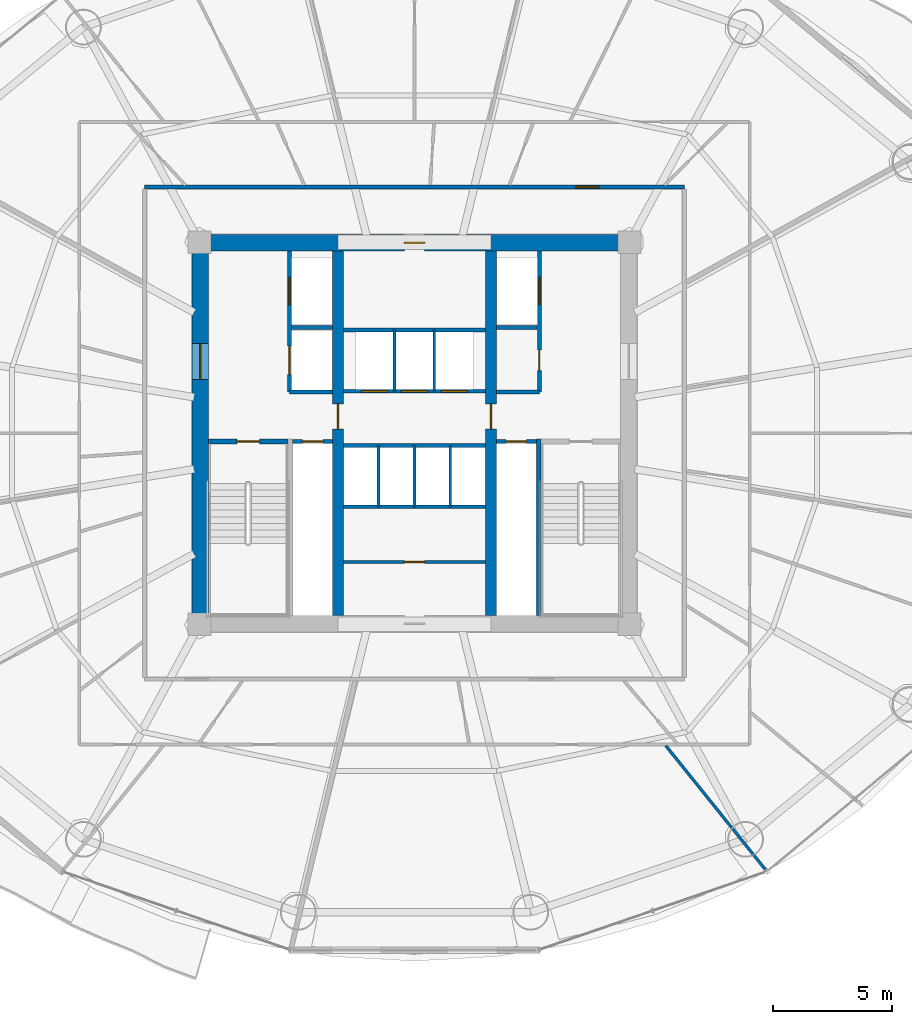
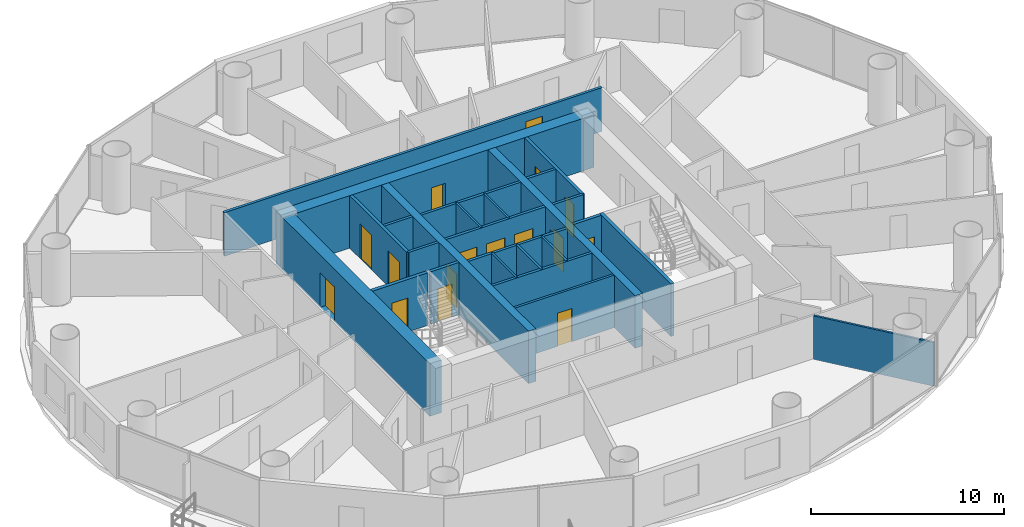
# One storey, part 23 of 29: 26 walls, 16 doors, 16 openings.
"""IFC4 building model written with IfcOpenShell, lengths in metres."""

from ifc_helpers import new_model, si_unit, direction, frame, frame_2d, origin, place, context, subcontext, project, spatial, rectangle, extrude, source, transform, mapped, material, layer, layer_set, type_object, element, fill, save


model = new_model("IFC4")

# Units and contexts
model_context = context("Model", 3, precision=1e-05, world=origin(), true_north=direction((-0.2419218956, 0.970295726276)))
body_context = subcontext(model_context, "Body", "Model", "MODEL_VIEW")
ifc_project = project(units=[si_unit("LENGTHUNIT", "METRE"), si_unit("AREAUNIT", "SQUARE_METRE"), si_unit("VOLUMEUNIT", "CUBIC_METRE"), si_unit("PLANEANGLEUNIT", "RADIAN"), si_unit("MASSUNIT", "GRAM", prefix="KILO")], contexts=[model_context])

# Site, building, storey
site_placement = place(None, origin())
site = spatial("IfcSite", under=ifc_project, at=site_placement, CompositionType="ELEMENT")
building_placement = place(site_placement, origin())
building = spatial("IfcBuilding", under=site, at=building_placement, Name="Cobrevalo Terracotta Tower", CompositionType="ELEMENT")
storey_placement = place(building_placement, frame((0.0, 0.0, 97.800048828125)))
storey = spatial("IfcBuildingStorey", under=building, at=storey_placement, Name="L25", CompositionType="ELEMENT", Elevation=97.800048828125)

# Wall, opening, door
ifc_material_1 = material(Name="Concrete C60", Category="concrete")
ifc_layer_1 = layer(ifc_material_1, 0.699951171875)
ifc_layer_set_1 = layer_set([ifc_layer_1], Name="Concrete C60")
wall_type_1 = type_object("IfcWallType", Name="Core shear wall 700 mm Concrete C60", PredefinedType="SHEAR", material=ifc_layer_set_1)
wall_1_placement = place(storey_placement, frame((28.675048828125, 34.77490234375, 0.0), z_axis=(0.0, 0.0, 1.0), x_axis=(1.0, 0.0, 0.0)))
wall_1 = element("IfcWall", 1, at=wall_1_placement, inside=storey, type_object=wall_type_1, Name="L25 north core shear wall", PredefinedType="SHEAR", context=body_context, shape_type="SweptSolid", body=[
    extrude(rectangle(XDim=18.64990234375, YDim=0.699951171875, at=frame_2d((9.324951171875, 0.0))), origin(), (0.0, 0.0, 1.0), 3.324951171875),
])
opening_1_placement = place(wall_1_placement, frame((8.89990234375, 0.0, 0.0)))
opening_1 = element("IfcOpeningElement", 2, at=opening_1_placement, cuts=wall_1, Name="Opening ID-22", PredefinedType="OPENING", context=body_context, shape_type="SweptSolid", body=[
    extrude(rectangle(XDim=0.85009765625, YDim=2.10009765625, at=frame_2d((0.425048828125, 1.050048828125))), frame((0.0, 0.35986328125, 0.0), z_axis=(0.0, -1.0, 0.0), x_axis=(1.0, 0.0, 0.0)), (0.0, 0.0, 1.0), 0.719970703125),
])
ifc_material_2 = material(Name="Powder-coated steel", Category="steel")
door_type_1 = type_object("IfcDoorType", Name="Riser shaft & meter closet fire access door 850x2100 EI 60", OperationType="NOTDEFINED", PredefinedType="DOOR", material=ifc_material_2)
shared_shape_1 = source(origin(), body_context, "Body", "SweptSolid", [
    extrude(rectangle(XDim=0.85009765625, YDim=2.10009765625, at=frame_2d((0.425048828125, 1.050048828125))), frame((0.0, 0.02490234375, 0.0), z_axis=(0.0, -1.0, 0.0), x_axis=(1.0, 0.0, 0.0)), (0.0, 0.0, 1.0), 0.050048828125),
])
door_1_placement = place(opening_1_placement, frame((0.85009765625, 0.0, 0.0), z_axis=(0.0, 0.0, 1.0), x_axis=(-1.0, 0.0, 0.0)))
door_1 = element("IfcDoor", 3, at=door_1_placement, inside=storey, type_object=door_type_1, Name="L25 core north service door Floor Electrical Switchroom", OperationType="SINGLE_SWING_LEFT", OverallHeight=2.10009765625, OverallWidth=0.85009765625, PredefinedType="DOOR", context=body_context, shape_type="MappedRepresentation", body=[
    mapped(shared_shape_1, transform((0.0, 0.0, 0.0), scale=1.0)),
])
fill(opening_1, door_1)

wall_2_placement = place(storey_placement, frame((29.02490234375, 19.175048828125, 0.0), z_axis=(0.0, 0.0, 1.0), x_axis=(0.0, 1.0, 0.0)))
wall_2 = element("IfcWall", 4, at=wall_2_placement, inside=storey, type_object=wall_type_1, Name="L25 west core shear wall", PredefinedType="SHEAR", context=body_context, shape_type="SweptSolid", body=[
    extrude(rectangle(XDim=15.25, YDim=0.699951171875, at=frame_2d((7.625, 0.0))), origin(), (0.0, 0.0, 1.0), 3.324951171875),
])
opening_2_placement = place(wall_2_placement, frame((9.875, 0.0, 0.0)))
opening_2 = element("IfcOpeningElement", 5, at=opening_2_placement, cuts=wall_2, Name="Opening ID-14", PredefinedType="OPENING", context=body_context, shape_type="SweptSolid", body=[
    extrude(rectangle(XDim=1.5, YDim=2.199951171875, at=frame_2d((0.75, 1.10009765625))), frame((0.0, 0.35986328125, 0.0), z_axis=(0.0, -1.0, 0.0), x_axis=(1.0, 0.0, 0.0)), (0.0, 0.0, 1.0), 0.719970703125),
])
ifc_material_3 = material(Name="Galvanized fire-rated steel", Category="steel")
door_type_2 = type_object("IfcDoorType", Name="Core cross-lobby double fire door 1500x2200 EI 90", OperationType="NOTDEFINED", PredefinedType="DOOR", material=ifc_material_3)
shared_shape_2 = source(origin(), body_context, "Body", "SweptSolid", [
    extrude(rectangle(XDim=1.5, YDim=2.199951171875, at=frame_2d((0.75, 1.10009765625))), frame((0.0, 0.02490234375, 0.0), z_axis=(0.0, -1.0, 0.0), x_axis=(1.0, 0.0, 0.0)), (0.0, 0.0, 1.0), 0.050048828125),
])
door_2_placement = place(opening_2_placement, origin())
door_2 = element("IfcDoor", 6, at=door_2_placement, inside=storey, type_object=door_type_2, Name="L25 west firefighting lobby entrance door", OperationType="DOUBLE_DOOR_SINGLE_SWING", OverallHeight=2.199951171875, OverallWidth=1.5, PredefinedType="DOOR", context=body_context, shape_type="MappedRepresentation", body=[
    mapped(shared_shape_2, transform((0.0, 0.0, 0.0), scale=1.0)),
])
fill(opening_2, door_2)

# Walls
ifc_material_4 = material(Name="Gypsum board on steel stud", Category="steel")
ifc_layer_2 = layer(ifc_material_4, 0.159912109375)
ifc_layer_set_2 = layer_set([ifc_layer_2], Name="Gypsum board on steel stud")
wall_type_2 = type_object("IfcWallType", Name="Fire-rated corridor acoustic partition wall 160 mm", PredefinedType="PARTITIONING", material=ifc_layer_set_2)
wall_3_placement = place(storey_placement, frame((32.860107421875, 31.219970703125, 0.0), z_axis=(0.0, 0.0, 1.0), x_axis=(1.0, 0.0, 0.0)))
element("IfcWall", 7, at=wall_3_placement, inside=storey, type_object=wall_type_2, Name="L25 interior partition IW-L25-FF1-M", PredefinedType="PARTITIONING", context=body_context, shape_type="SweptSolid", body=[
    extrude(rectangle(XDim=1.71484375, YDim=0.159912109375, at=frame_2d((0.857421875, 0.0))), origin(), (0.0, 0.0, 1.0), 3.324951171875),
])
wall_4_placement = place(storey_placement, frame((32.77001953125, 28.52001953125, 0.0), z_axis=(0.0, 0.0, 1.0), x_axis=(1.0, 0.0, 0.0)))
element("IfcWall", 8, at=wall_4_placement, inside=storey, type_object=wall_type_2, Name="L25 interior partition IW-L25-FF1-S", PredefinedType="PARTITIONING", context=body_context, shape_type="SweptSolid", body=[
    extrude(rectangle(XDim=1.804931640625, YDim=0.159912109375, at=frame_2d((0.90234375, 0.0))), origin(), (0.0, 0.0, 1.0), 3.324951171875),
])
wall_5_placement = place(storey_placement, frame((41.425048828125, 31.219970703125, 0.0), z_axis=(0.0, 0.0, 1.0), x_axis=(1.0, 0.0, 0.0)))
element("IfcWall", 9, at=wall_5_placement, inside=storey, type_object=wall_type_2, Name="L25 interior partition IW-L25-FF2-M", PredefinedType="PARTITIONING", context=body_context, shape_type="SweptSolid", body=[
    extrude(rectangle(XDim=1.71484375, YDim=0.159912109375, at=frame_2d((0.857421875, 0.0))), origin(), (0.0, 0.0, 1.0), 3.324951171875),
])
wall_6_placement = place(storey_placement, frame((41.425048828125, 28.52001953125, 0.0), z_axis=(0.0, 0.0, 1.0), x_axis=(1.0, 0.0, 0.0)))
element("IfcWall", 10, at=wall_6_placement, inside=storey, type_object=wall_type_2, Name="L25 interior partition IW-L25-FF2-S", PredefinedType="PARTITIONING", context=body_context, shape_type="SweptSolid", body=[
    extrude(rectangle(XDim=1.804931640625, YDim=0.159912109375, at=frame_2d((0.90234375, 0.0))), origin(), (0.0, 0.0, 1.0), 3.324951171875),
])

# Wall, openings, doors
wall_7_placement = place(storey_placement, frame((35.02490234375, 28.56005859375, 0.0), z_axis=(0.0, 0.0, 1.0), x_axis=(1.0, 0.0, 0.0)))
wall_7 = element("IfcWall", 11, at=wall_7_placement, inside=storey, type_object=wall_type_2, Name="L25 interior partition IW-L25-LB-S", PredefinedType="PARTITIONING", context=body_context, shape_type="SweptSolid", body=[
    extrude(rectangle(XDim=5.9501953125, YDim=0.159912109375, at=frame_2d((2.97509765625, 0.0))), origin(), (0.0, 0.0, 1.0), 3.324951171875),
])
opening_3_placement = place(wall_7_placement, frame((0.760009765625, 0.0, 0.0)))
opening_3 = element("IfcOpeningElement", 12, at=opening_3_placement, cuts=wall_7, Name="Opening LD-01", PredefinedType="OPENING", context=body_context, shape_type="SweptSolid", body=[
    extrude(rectangle(XDim=1.10009765625, YDim=2.199951171875, at=frame_2d((0.550048828125, 1.10009765625))), frame((0.0, 0.08984375, 0.0), z_axis=(0.0, -1.0, 0.0), x_axis=(1.0, 0.0, 0.0)), (0.0, 0.0, 1.0), 0.179931640625),
])
opening_4_placement = place(wall_7_placement, frame((2.425048828125, 0.0, 0.0)))
opening_4 = element("IfcOpeningElement", 13, at=opening_4_placement, cuts=wall_7, Name="Opening LD-01", PredefinedType="OPENING", context=body_context, shape_type="SweptSolid", body=[
    extrude(rectangle(XDim=1.10009765625, YDim=2.199951171875, at=frame_2d((0.550048828125, 1.10009765625))), frame((0.0, 0.08984375, 0.0), z_axis=(0.0, -1.0, 0.0), x_axis=(1.0, 0.0, 0.0)), (0.0, 0.0, 1.0), 0.179931640625),
])
opening_5_placement = place(wall_7_placement, frame((4.090087890625, 0.0, 0.0)))
opening_5 = element("IfcOpeningElement", 14, at=opening_5_placement, cuts=wall_7, Name="Opening LD-01", PredefinedType="OPENING", context=body_context, shape_type="SweptSolid", body=[
    extrude(rectangle(XDim=1.10009765625, YDim=2.199951171875, at=frame_2d((0.550048828125, 1.10009765625))), frame((0.0, 0.08984375, 0.0), z_axis=(0.0, -1.0, 0.0), x_axis=(1.0, 0.0, 0.0)), (0.0, 0.0, 1.0), 0.179931640625),
])
ifc_material_5 = material(Name="Brushed stainless steel", Category="steel")
door_type_3 = type_object("IfcDoorType", Name="Passenger lift landing bi-parting sliding door 1100x2200 EI 90", OperationType="DOUBLE_DOOR_SLIDING", PredefinedType="DOOR", material=ifc_material_5)
shared_shape_3 = source(origin(), body_context, "Body", "SweptSolid", [
    extrude(rectangle(XDim=1.10009765625, YDim=2.199951171875, at=frame_2d((0.550048828125, 1.10009765625))), frame((0.0, 0.02490234375, 0.0), z_axis=(0.0, -1.0, 0.0), x_axis=(1.0, 0.0, 0.0)), (0.0, 0.0, 1.0), 0.050048828125),
])
door_3_placement = place(opening_3_placement, origin())
door_3 = element("IfcDoor", 15, at=door_3_placement, inside=storey, type_object=door_type_3, Name="L25 lift landing door PL-L1", OperationType="DOUBLE_DOOR_SLIDING", OverallHeight=2.199951171875, OverallWidth=1.10009765625, PredefinedType="DOOR", context=body_context, shape_type="MappedRepresentation", body=[
    mapped(shared_shape_3, transform((0.0, 0.0, 0.0), scale=1.0)),
])
fill(opening_3, door_3)
door_4_placement = place(opening_4_placement, origin())
door_4 = element("IfcDoor", 16, at=door_4_placement, inside=storey, type_object=door_type_3, Name="L25 lift landing door PL-L2", OperationType="DOUBLE_DOOR_SLIDING", OverallHeight=2.199951171875, OverallWidth=1.10009765625, PredefinedType="DOOR", context=body_context, shape_type="MappedRepresentation", body=[
    mapped(shared_shape_3, transform((0.0, 0.0, 0.0), scale=1.0)),
])
fill(opening_4, door_4)
door_5_placement = place(opening_5_placement, origin())
door_5 = element("IfcDoor", 17, at=door_5_placement, inside=storey, type_object=door_type_3, Name="L25 lift landing door PL-L3", OperationType="DOUBLE_DOOR_SLIDING", OverallHeight=2.199951171875, OverallWidth=1.10009765625, PredefinedType="DOOR", context=body_context, shape_type="MappedRepresentation", body=[
    mapped(shared_shape_3, transform((0.0, 0.0, 0.0), scale=1.0)),
])
fill(opening_5, door_5)

# Walls
for number, where, z_axis, x_axis, name in (
    (18, (35.02490234375, 31.1201171875, 0.0), (0.0, 0.0, 1.0), (1.0, 0.0, 0.0), "L25 interior partition IW-L25-LB-N"),
    (19, (35.02490234375, 26.280029296875, 0.0), (0.0, 0.0, 1.0), (1.0, 0.0, 0.0), "L25 interior partition IW-L25-MB-N"),
    (20, (35.02490234375, 23.719970703125, 0.0), (0.0, 0.0, 1.0), (1.0, 0.0, 0.0), "L25 interior partition IW-L25-MB-S"),
):
    element("IfcWall", number, at=place(storey_placement, frame(where, z_axis=z_axis, x_axis=x_axis)), inside=storey, type_object=wall_type_2, Name=name, PredefinedType="PARTITIONING", context=body_context, shape_type="SweptSolid", body=[
        extrude(rectangle(XDim=5.9501953125, YDim=0.159912109375, at=frame_2d((2.97509765625, 0.0))), origin(), (0.0, 0.0, 1.0), 3.324951171875),
    ])

# Wall, opening, door
wall_8_placement = place(storey_placement, frame((26.695068359375, 37.10498046875, 0.0), z_axis=(0.0, 0.0, 1.0), x_axis=(1.0, 0.0, 0.0)))
wall_8 = element("IfcWall", 21, at=wall_8_placement, inside=storey, type_object=wall_type_2, Name="L25 interior partition IW-L25-COR-N", PredefinedType="PARTITIONING", context=body_context, shape_type="SweptSolid", body=[
    extrude(rectangle(XDim=22.60986328125, YDim=0.159912109375, at=frame_2d((11.304931640625, 0.0))), origin(), (0.0, 0.0, 1.0), 2.766845703125),
])
opening_6_placement = place(wall_8_placement, frame((18.0576171875, 0.0, 0.0)))
opening_6 = element("IfcOpeningElement", 22, at=opening_6_placement, cuts=wall_8, Name="Opening ID-05", PredefinedType="OPENING", context=body_context, shape_type="SweptSolid", body=[
    extrude(rectangle(XDim=0.97998046875, YDim=2.199951171875, at=frame_2d((0.489990234375, 1.10009765625))), frame((0.0, 0.08984375, 0.0), z_axis=(0.0, -1.0, 0.0), x_axis=(1.0, 0.0, 0.0)), (0.0, 0.0, 1.0), 0.179931640625),
])
ifc_material_6 = material(Name="Solid hardwood timber", Category="wood")
door_type_4 = type_object("IfcDoorType", Name="Residence entrance fire-rated acoustic timber door 980x2200 EI 60", OperationType="NOTDEFINED", PredefinedType="DOOR", material=ifc_material_6)
shared_shape_4 = source(origin(), body_context, "Body", "SweptSolid", [
    extrude(rectangle(XDim=0.97998046875, YDim=2.199951171875, at=frame_2d((0.489990234375, 1.10009765625))), frame((0.0, 0.02490234375, 0.0), z_axis=(0.0, -1.0, 0.0), x_axis=(1.0, 0.0, 0.0)), (0.0, 0.0, 1.0), 0.050048828125),
])
door_6_placement = place(opening_6_placement, origin())
door_6 = element("IfcDoor", 23, at=door_6_placement, inside=storey, type_object=door_type_4, Name="Flat L25A fire-rated apartment entrance door", OperationType="SINGLE_SWING_LEFT", OverallHeight=2.199951171875, OverallWidth=0.97998046875, PredefinedType="DOOR", context=body_context, shape_type="MappedRepresentation", body=[
    mapped(shared_shape_4, transform((0.0, 0.0, 0.0), scale=1.0)),
])
fill(opening_6, door_6)

ifc_layer_3 = layer(ifc_material_4, 0.179931640625)
ifc_layer_set_3 = layer_set([ifc_layer_3], Name="Gypsum board on steel stud")
wall_type_3 = type_object("IfcWallType", Name="Fire-rated shaft & lobby acoustic partition wall 180 mm", PredefinedType="PARTITIONING", material=ifc_layer_set_3)
wall_9_placement = place(storey_placement, frame((32.89990234375, 26.449951171875, 0.0), z_axis=(0.0, 0.0, 1.0), x_axis=(1.0, 0.0, 0.0)))
wall_9 = element("IfcWall", 24, at=wall_9_placement, inside=storey, type_object=wall_type_3, Name="L25 interior partition IW-L25-RSW-N", PredefinedType="PARTITIONING", context=body_context, shape_type="SweptSolid", body=[
    extrude(rectangle(XDim=1.675048828125, YDim=0.179931640625, at=frame_2d((0.83740234375, 0.0))), origin(), (0.0, 0.0, 1.0), 3.324951171875),
])
opening_7_placement = place(wall_9_placement, frame((0.41259765625, 0.0, 0.0)))
opening_7 = element("IfcOpeningElement", 25, at=opening_7_placement, cuts=wall_9, Name="Opening ID-22", PredefinedType="OPENING", context=body_context, shape_type="SweptSolid", body=[
    extrude(rectangle(XDim=0.85009765625, YDim=2.10009765625, at=frame_2d((0.425048828125, 1.050048828125))), frame((0.0, 0.10009765625, 0.0), z_axis=(0.0, -1.0, 0.0), x_axis=(1.0, 0.0, 0.0)), (0.0, 0.0, 1.0), 0.199951171875),
])
door_7_placement = place(opening_7_placement, origin())
door_7 = element("IfcDoor", 26, at=door_7_placement, inside=storey, type_object=door_type_1, Name="L25 riser access door RSW", OperationType="SINGLE_SWING_LEFT", OverallHeight=2.10009765625, OverallWidth=0.85009765625, PredefinedType="DOOR", context=body_context, shape_type="MappedRepresentation", body=[
    mapped(shared_shape_1, transform((0.0, 0.0, 0.0), scale=1.0)),
])
fill(opening_7, door_7)

wall_10_placement = place(storey_placement, frame((41.425048828125, 26.449951171875, 0.0), z_axis=(0.0, 0.0, 1.0), x_axis=(1.0, 0.0, 0.0)))
wall_10 = element("IfcWall", 27, at=wall_10_placement, inside=storey, type_object=wall_type_3, Name="L25 interior partition IW-L25-RSE-N", PredefinedType="PARTITIONING", context=body_context, shape_type="SweptSolid", body=[
    extrude(rectangle(XDim=1.675048828125, YDim=0.179931640625, at=frame_2d((0.83740234375, 0.0))), origin(), (0.0, 0.0, 1.0), 3.324951171875),
])
opening_8_placement = place(wall_10_placement, frame((0.41259765625, 0.0, 0.0)))
opening_8 = element("IfcOpeningElement", 28, at=opening_8_placement, cuts=wall_10, Name="Opening ID-22", PredefinedType="OPENING", context=body_context, shape_type="SweptSolid", body=[
    extrude(rectangle(XDim=0.85009765625, YDim=2.10009765625, at=frame_2d((0.425048828125, 1.050048828125))), frame((0.0, 0.10009765625, 0.0), z_axis=(0.0, -1.0, 0.0), x_axis=(1.0, 0.0, 0.0)), (0.0, 0.0, 1.0), 0.199951171875),
])
door_8_placement = place(opening_8_placement, origin())
door_8 = element("IfcDoor", 29, at=door_8_placement, inside=storey, type_object=door_type_1, Name="L25 riser access door RSE", OperationType="SINGLE_SWING_RIGHT", OverallHeight=2.10009765625, OverallWidth=0.85009765625, PredefinedType="DOOR", context=body_context, shape_type="MappedRepresentation", body=[
    mapped(shared_shape_1, transform((0.0, 0.0, 0.0), scale=1.0)),
])
fill(opening_8, door_8)

# Wall, openings, doors
wall_11_placement = place(storey_placement, frame((32.77001953125, 28.52001953125, 0.0), z_axis=(0.0, 0.0, 1.0), x_axis=(0.0, 1.0, 0.0)))
wall_11 = element("IfcWall", 30, at=wall_11_placement, inside=storey, type_object=wall_type_3, Name="L25 interior partition IW-L25-FF1-W", PredefinedType="PARTITIONING", context=body_context, shape_type="SweptSolid", body=[
    extrude(rectangle(XDim=5.905029296875, YDim=0.179931640625, at=frame_2d((2.95263671875, 0.0))), origin(), (0.0, 0.0, 1.0), 3.324951171875),
])
opening_9_placement = place(wall_11_placement, frame((3.655029296875, 0.0, 0.0)))
opening_9 = element("IfcOpeningElement", 31, at=opening_9_placement, cuts=wall_11, Name="Opening LD-02", PredefinedType="OPENING", context=body_context, shape_type="SweptSolid", body=[
    extrude(rectangle(XDim=1.14990234375, YDim=2.199951171875, at=frame_2d((0.574951171875, 1.10009765625))), frame((0.0, 0.10009765625, 0.0), z_axis=(0.0, -1.0, 0.0), x_axis=(1.0, 0.0, 0.0)), (0.0, 0.0, 1.0), 0.199951171875),
])
opening_10_placement = place(wall_11_placement, frame((0.72998046875, 0.0, 0.0)))
opening_10 = element("IfcOpeningElement", 32, at=opening_10_placement, cuts=wall_11, Name="Opening LD-03", PredefinedType="OPENING", context=body_context, shape_type="SweptSolid", body=[
    extrude(rectangle(XDim=1.199951171875, YDim=2.25, at=frame_2d((0.60009765625, 1.125))), frame((0.0, 0.10009765625, 0.0), z_axis=(0.0, -1.0, 0.0), x_axis=(1.0, 0.0, 0.0)), (0.0, 0.0, 1.0), 0.199951171875),
])
door_type_5 = type_object("IfcDoorType", Name="Firefighting lift landing bi-parting sliding door 1150x2200 EI 120", OperationType="DOUBLE_DOOR_SLIDING", PredefinedType="DOOR", material=ifc_material_5)
shared_shape_5 = source(origin(), body_context, "Body", "SweptSolid", [
    extrude(rectangle(XDim=1.14990234375, YDim=2.199951171875, at=frame_2d((0.574951171875, 1.10009765625))), frame((0.0, 0.02490234375, 0.0), z_axis=(0.0, -1.0, 0.0), x_axis=(1.0, 0.0, 0.0)), (0.0, 0.0, 1.0), 0.050048828125),
])
door_9_placement = place(opening_9_placement, origin())
door_9 = element("IfcDoor", 33, at=door_9_placement, inside=storey, type_object=door_type_5, Name="L25 lift landing door FF-1", OperationType="DOUBLE_DOOR_SLIDING", OverallHeight=2.199951171875, OverallWidth=1.14990234375, PredefinedType="DOOR", context=body_context, shape_type="MappedRepresentation", body=[
    mapped(shared_shape_5, transform((0.0, 0.0, 0.0), scale=1.0)),
])
fill(opening_9, door_9)
door_type_6 = type_object("IfcDoorType", Name="Service lift landing bi-parting sliding door 1200x2250 EI 120", OperationType="DOUBLE_DOOR_SLIDING", PredefinedType="DOOR", material=ifc_material_5)
shared_shape_6 = source(origin(), body_context, "Body", "SweptSolid", [
    extrude(rectangle(XDim=1.199951171875, YDim=2.25, at=frame_2d((0.60009765625, 1.125))), frame((0.0, 0.02490234375, 0.0), z_axis=(0.0, -1.0, 0.0), x_axis=(1.0, 0.0, 0.0)), (0.0, 0.0, 1.0), 0.050048828125),
])
door_10_placement = place(opening_10_placement, origin())
door_10 = element("IfcDoor", 34, at=door_10_placement, inside=storey, type_object=door_type_6, Name="L25 lift landing door SV-1", OperationType="DOUBLE_DOOR_SLIDING", OverallHeight=2.25, OverallWidth=1.199951171875, PredefinedType="DOOR", context=body_context, shape_type="MappedRepresentation", body=[
    mapped(shared_shape_6, transform((0.0, 0.0, 0.0), scale=1.0)),
])
fill(opening_10, door_10)

wall_12_placement = place(storey_placement, frame((43.22998046875, 28.52001953125, 0.0), z_axis=(0.0, 0.0, 1.0), x_axis=(0.0, 1.0, 0.0)))
wall_12 = element("IfcWall", 35, at=wall_12_placement, inside=storey, type_object=wall_type_3, Name="L25 interior partition IW-L25-FF2-E", PredefinedType="PARTITIONING", context=body_context, shape_type="SweptSolid", body=[
    extrude(rectangle(XDim=5.905029296875, YDim=0.179931640625, at=frame_2d((2.95263671875, 0.0))), origin(), (0.0, 0.0, 1.0), 3.324951171875),
])
opening_11_placement = place(wall_12_placement, frame((0.905029296875, 0.0, 0.0)))
opening_11 = element("IfcOpeningElement", 36, at=opening_11_placement, cuts=wall_12, Name="Opening ID-22", PredefinedType="OPENING", context=body_context, shape_type="SweptSolid", body=[
    extrude(rectangle(XDim=0.85009765625, YDim=2.10009765625, at=frame_2d((0.425048828125, 1.050048828125))), frame((0.0, 0.10009765625, 0.0), z_axis=(0.0, -1.0, 0.0), x_axis=(1.0, 0.0, 0.0)), (0.0, 0.0, 1.0), 0.199951171875),
])
opening_12_placement = place(wall_12_placement, frame((3.655029296875, 0.0, 0.0)))
opening_12 = element("IfcOpeningElement", 37, at=opening_12_placement, cuts=wall_12, Name="Opening LD-02", PredefinedType="OPENING", context=body_context, shape_type="SweptSolid", body=[
    extrude(rectangle(XDim=1.14990234375, YDim=2.199951171875, at=frame_2d((0.574951171875, 1.10009765625))), frame((0.0, 0.10009765625, 0.0), z_axis=(0.0, -1.0, 0.0), x_axis=(1.0, 0.0, 0.0)), (0.0, 0.0, 1.0), 0.199951171875),
])
door_11_placement = place(opening_11_placement, frame((0.85009765625, 0.0, 0.0), z_axis=(0.0, 0.0, 1.0), x_axis=(-1.0, 0.0, 0.0)))
door_11 = element("IfcDoor", 38, at=door_11_placement, inside=storey, type_object=door_type_1, Name="L25 housekeeping store door", OperationType="SINGLE_SWING_RIGHT", OverallHeight=2.10009765625, OverallWidth=0.85009765625, PredefinedType="DOOR", context=body_context, shape_type="MappedRepresentation", body=[
    mapped(shared_shape_1, transform((0.0, 0.0, 0.0), scale=1.0)),
])
fill(opening_11, door_11)
door_12_placement = place(opening_12_placement, origin())
door_12 = element("IfcDoor", 39, at=door_12_placement, inside=storey, type_object=door_type_5, Name="L25 lift landing door FF-2", OperationType="DOUBLE_DOOR_SLIDING", OverallHeight=2.199951171875, OverallWidth=1.14990234375, PredefinedType="DOOR", context=body_context, shape_type="MappedRepresentation", body=[
    mapped(shared_shape_5, transform((0.0, 0.0, 0.0), scale=1.0)),
])
fill(opening_12, door_12)

# Walls
ifc_material_7 = material(Name="Autoclaved aerated concrete block", Category="concrete")
ifc_layer_4 = layer(ifc_material_7, 0.1201171875)
ifc_layer_set_4 = layer_set([ifc_layer_4], Name="Autoclaved aerated concrete block")
wall_type_4 = type_object("IfcWallType", Name="Fire-rated wet-room & core service partition 120 mm", PredefinedType="PARTITIONING", material=ifc_layer_set_4)
for number, where, z_axis, x_axis, name in (
    (40, (37.169921875, 28.56005859375, 0.0), (0.0, 0.0, 1.0), (0.0, 1.0, 0.0), "L25 interior partition IW-L25-LB-D1"),
    (41, (38.830078125, 28.56005859375, 0.0), (0.0, 0.0, 1.0), (0.0, 1.0, 0.0), "L25 interior partition IW-L25-LB-D2"),
    (42, (36.5, 23.719970703125, 0.0), (0.0, 0.0, 1.0), (0.0, 1.0, 0.0), "L25 interior partition IW-L25-MB-D1"),
    (43, (39.5, 23.719970703125, 0.0), (0.0, 0.0, 1.0), (0.0, 1.0, 0.0), "L25 interior partition IW-L25-MB-D3"),
):
    element("IfcWall", number, at=place(storey_placement, frame(where, z_axis=z_axis, x_axis=x_axis)), inside=storey, type_object=wall_type_4, Name=name, PredefinedType="PARTITIONING", context=body_context, shape_type="SweptSolid", body=[
        extrude(rectangle(XDim=2.56005859375, YDim=0.1201171875, at=frame_2d((1.280029296875, 0.0))), origin(), (0.0, 0.0, 1.0), 3.324951171875),
    ])

# Wall, opening, door
ifc_material_8 = material(Name="Concrete C55", Category="concrete")
ifc_layer_5 = layer(ifc_material_8, 0.449951171875)
ifc_layer_set_5 = layer_set([ifc_layer_5], Name="Concrete C55")
wall_type_5 = type_object("IfcWallType", Name="Internal core shear web wall 450 mm Concrete C55", PredefinedType="SHEAR", material=ifc_layer_set_5)
wall_13_placement = place(storey_placement, frame((34.800048828125, 19.175048828125, 0.0), z_axis=(0.0, 0.0, 1.0), x_axis=(0.0, 1.0, 0.0)))
wall_13 = element("IfcWall", 44, at=wall_13_placement, inside=storey, type_object=wall_type_5, Name="L25 internal core shear wall WEB-W", PredefinedType="SHEAR", context=body_context, shape_type="SweptSolid", body=[
    extrude(rectangle(XDim=15.25, YDim=0.449951171875, at=frame_2d((7.625, 0.0))), origin(), (0.0, 0.0, 1.0), 3.324951171875),
])
opening_13_placement = place(wall_13_placement, frame((7.800048828125, 0.0, 0.0)))
opening_13 = element("IfcOpeningElement", 45, at=opening_13_placement, cuts=wall_13, Name="Opening ID-11", PredefinedType="OPENING", context=body_context, shape_type="SweptSolid", body=[
    extrude(rectangle(XDim=1.050048828125, YDim=2.14990234375, at=frame_2d((0.52490234375, 1.074951171875))), frame((0.0, 0.23486328125, 0.0), z_axis=(0.0, -1.0, 0.0), x_axis=(1.0, 0.0, 0.0)), (0.0, 0.0, 1.0), 0.469970703125),
])
door_type_7 = type_object("IfcDoorType", Name="Core concourse cross fire door 1050x2150 EI 90", OperationType="NOTDEFINED", PredefinedType="DOOR", material=ifc_material_3)
shared_shape_7 = source(origin(), body_context, "Body", "SweptSolid", [
    extrude(rectangle(XDim=1.050048828125, YDim=2.14990234375, at=frame_2d((0.52490234375, 1.074951171875))), frame((0.0, 0.02490234375, 0.0), z_axis=(0.0, -1.0, 0.0), x_axis=(1.0, 0.0, 0.0)), (0.0, 0.0, 1.0), 0.050048828125),
])
door_13_placement = place(opening_13_placement, origin())
door_13 = element("IfcDoor", 46, at=door_13_placement, inside=storey, type_object=door_type_7, Name="L25 west core concourse cross door", OperationType="SINGLE_SWING_LEFT", OverallHeight=2.14990234375, OverallWidth=1.050048828125, PredefinedType="DOOR", context=body_context, shape_type="MappedRepresentation", body=[
    mapped(shared_shape_7, transform((0.0, 0.0, 0.0), scale=1.0)),
])
fill(opening_13, door_13)

wall_14_placement = place(storey_placement, frame((41.199951171875, 19.175048828125, 0.0), z_axis=(0.0, 0.0, 1.0), x_axis=(0.0, 1.0, 0.0)))
wall_14 = element("IfcWall", 47, at=wall_14_placement, inside=storey, type_object=wall_type_5, Name="L25 internal core shear wall WEB-E", PredefinedType="SHEAR", context=body_context, shape_type="SweptSolid", body=[
    extrude(rectangle(XDim=15.25, YDim=0.449951171875, at=frame_2d((7.625, 0.0))), origin(), (0.0, 0.0, 1.0), 3.324951171875),
])
opening_14_placement = place(wall_14_placement, frame((7.800048828125, 0.0, 0.0)))
opening_14 = element("IfcOpeningElement", 48, at=opening_14_placement, cuts=wall_14, Name="Opening ID-11", PredefinedType="OPENING", context=body_context, shape_type="SweptSolid", body=[
    extrude(rectangle(XDim=1.050048828125, YDim=2.14990234375, at=frame_2d((0.52490234375, 1.074951171875))), frame((0.0, 0.23486328125, 0.0), z_axis=(0.0, -1.0, 0.0), x_axis=(1.0, 0.0, 0.0)), (0.0, 0.0, 1.0), 0.469970703125),
])
door_14_placement = place(opening_14_placement, frame((1.050048828125, 0.0, 0.0), z_axis=(0.0, 0.0, 1.0), x_axis=(-1.0, 0.0, 0.0)))
door_14 = element("IfcDoor", 49, at=door_14_placement, inside=storey, type_object=door_type_7, Name="L25 east core concourse cross door", OperationType="SINGLE_SWING_RIGHT", OverallHeight=2.14990234375, OverallWidth=1.050048828125, PredefinedType="DOOR", context=body_context, shape_type="MappedRepresentation", body=[
    mapped(shared_shape_7, transform((0.0, 0.0, 0.0), scale=1.0)),
])
fill(opening_14, door_14)

# Wall
ifc_layer_6 = layer(ifc_material_7, 0.139892578125)
ifc_layer_set_6 = layer_set([ifc_layer_6], Name="Autoclaved aerated concrete block")
wall_type_6 = type_object("IfcWallType", Name="Moisture-resistant wet-room & core service partition 140 mm", PredefinedType="PARTITIONING", material=ifc_layer_set_6)
wall_15_placement = place(storey_placement, frame((38.0, 23.719970703125, 0.0), z_axis=(0.0, 0.0, 1.0), x_axis=(0.0, 1.0, 0.0)))
element("IfcWall", 50, at=wall_15_placement, inside=storey, type_object=wall_type_6, Name="L25 interior partition IW-L25-MB-D2", PredefinedType="PARTITIONING", context=body_context, shape_type="SweptSolid", body=[
    extrude(rectangle(XDim=2.56005859375, YDim=0.139892578125, at=frame_2d((1.280029296875, 0.0))), origin(), (0.0, 0.0, 1.0), 3.324951171875),
])

# Wall, opening, door
wall_16_placement = place(storey_placement, frame((35.02490234375, 21.407470703125, 0.0), z_axis=(0.0, 0.0, 1.0), x_axis=(1.0, 0.0, 0.0)))
wall_16 = element("IfcWall", 51, at=wall_16_placement, inside=storey, type_object=wall_type_6, Name="L25 interior partition IW-L25-KVS-H", PredefinedType="PARTITIONING", context=body_context, shape_type="SweptSolid", body=[
    extrude(rectangle(XDim=5.9501953125, YDim=0.139892578125, at=frame_2d((2.97509765625, 0.0))), origin(), (0.0, 0.0, 1.0), 3.324951171875),
])
opening_15_placement = place(wall_16_placement, frame((2.550048828125, 0.0, 0.0)))
opening_15 = element("IfcOpeningElement", 52, at=opening_15_placement, cuts=wall_16, Name="Opening ID-22", PredefinedType="OPENING", context=body_context, shape_type="SweptSolid", body=[
    extrude(rectangle(XDim=0.85009765625, YDim=2.10009765625, at=frame_2d((0.425048828125, 1.050048828125))), frame((0.0, 0.080078125, 0.0), z_axis=(0.0, -1.0, 0.0), x_axis=(1.0, 0.0, 0.0)), (0.0, 0.0, 1.0), 0.159912109375),
])
door_15_placement = place(opening_15_placement, origin())
door_15 = element("IfcDoor", 53, at=door_15_placement, inside=storey, type_object=door_type_1, Name="L25 core manifold inner door", OperationType="SINGLE_SWING_LEFT", OverallHeight=2.10009765625, OverallWidth=0.85009765625, PredefinedType="DOOR", context=body_context, shape_type="MappedRepresentation", body=[
    mapped(shared_shape_1, transform((0.0, 0.0, 0.0), scale=1.0)),
])
fill(opening_15, door_15)

# Wall
ifc_layer_7 = layer(ifc_material_4, 0.1201171875)
ifc_layer_set_7 = layer_set([ifc_layer_7], Name="Gypsum board on steel stud")
wall_type_7 = type_object("IfcWallType", Name="Residential internal acoustic stud partition 120 mm", PredefinedType="PARTITIONING", material=ifc_layer_set_7)
wall_17_placement = place(storey_placement, frame((48.52197265625, 13.716796875, 0.0), z_axis=(0.0, 0.0, 1.0), x_axis=(0.626707979732, -0.77925419995, 0.0)))
element("IfcWall", 54, at=wall_17_placement, inside=storey, type_object=wall_type_7, Name="L25 interior partition IW-L25-U3-ORAD1", PredefinedType="PARTITIONING", context=body_context, shape_type="SweptSolid", body=[
    extrude(rectangle(XDim=6.6787109375, YDim=0.1201171875, at=frame_2d((3.33935546875, 0.0))), origin(), (0.0, 0.0, 1.0), 2.766845703125),
])

# Wall, opening, door
ifc_material_9 = material(Name="Concrete C50", Category="concrete")
ifc_layer_8 = layer(ifc_material_9, 0.199951171875)
ifc_layer_set_8 = layer_set([ifc_layer_8], Name="Concrete C50")
wall_type_8 = type_object("IfcWallType", Name="Structural core & podium stair-shaft RC wall 200 mm Concrete C50", PredefinedType="SOLIDWALL", material=ifc_layer_set_8)
wall_18_placement = place(storey_placement, frame((29.375, 26.449951171875, 0.0), z_axis=(0.0, 0.0, 1.0), x_axis=(1.0, 0.0, 0.0)))
wall_18 = element("IfcWall", 55, at=wall_18_placement, inside=storey, type_object=wall_type_8, Name="L25 ST-1 north structural shaft wall", PredefinedType="SOLIDWALL", context=body_context, shape_type="SweptSolid", body=[
    extrude(rectangle(XDim=3.320068359375, YDim=0.199951171875, at=frame_2d((1.66015625, 0.0))), origin(), (0.0, 0.0, 1.0), 3.324951171875),
])
opening_16_placement = place(wall_18_placement, frame((1.18505859375, 0.0, 0.0)))
opening_16 = element("IfcOpeningElement", 56, at=opening_16_placement, cuts=wall_18, Name="Opening ID-04", PredefinedType="OPENING", context=body_context, shape_type="SweptSolid", body=[
    extrude(rectangle(XDim=0.949951171875, YDim=2.14990234375, at=frame_2d((0.47509765625, 1.074951171875))), frame((0.0, 0.10986328125, 0.0), z_axis=(0.0, -1.0, 0.0), x_axis=(1.0, 0.0, 0.0)), (0.0, 0.0, 1.0), 0.219970703125),
])
door_type_8 = type_object("IfcDoorType", Name="Stair & firefighting lobby fire door 950x2150 EI 90", OperationType="NOTDEFINED", PredefinedType="DOOR", material=ifc_material_3)
shared_shape_8 = source(origin(), body_context, "Body", "SweptSolid", [
    extrude(rectangle(XDim=0.949951171875, YDim=2.14990234375, at=frame_2d((0.47509765625, 1.074951171875))), frame((0.0, 0.02490234375, 0.0), z_axis=(0.0, -1.0, 0.0), x_axis=(1.0, 0.0, 0.0)), (0.0, 0.0, 1.0), 0.050048828125),
])
door_16_placement = place(opening_16_placement, origin())
door_16 = element("IfcDoor", 57, at=door_16_placement, inside=storey, type_object=door_type_8, Name="L25 protected stair ST1 fire door", OperationType="SINGLE_SWING_LEFT", OverallHeight=2.14990234375, OverallWidth=0.949951171875, PredefinedType="DOOR", context=body_context, shape_type="MappedRepresentation", body=[
    mapped(shared_shape_8, transform((0.0, 0.0, 0.0), scale=1.0)),
])
fill(opening_16, door_16)

# Wall
wall_19_placement = place(storey_placement, frame((43.205078125, 19.175048828125, 0.0), z_axis=(0.0, 0.0, 1.0), x_axis=(0.0, 1.0, 0.0)))
element("IfcWall", 58, at=wall_19_placement, inside=storey, type_object=wall_type_8, Name="L25 ST-2 west structural shaft wall", PredefinedType="SOLIDWALL", context=body_context, shape_type="SweptSolid", body=[
    extrude(rectangle(XDim=7.375, YDim=0.199951171875, at=frame_2d((3.6875, 0.0))), origin(), (0.0, 0.0, 1.0), 3.324951171875),
])

save(model, "model.ifc")
